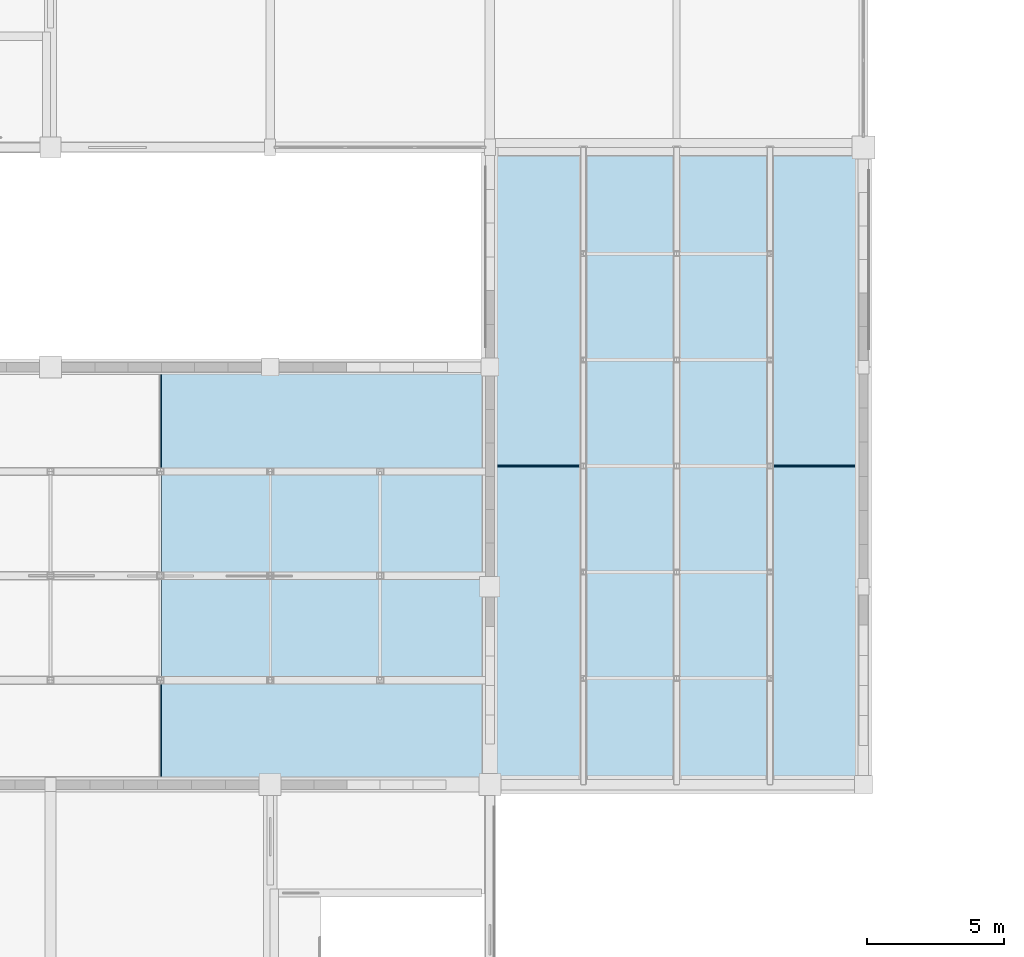
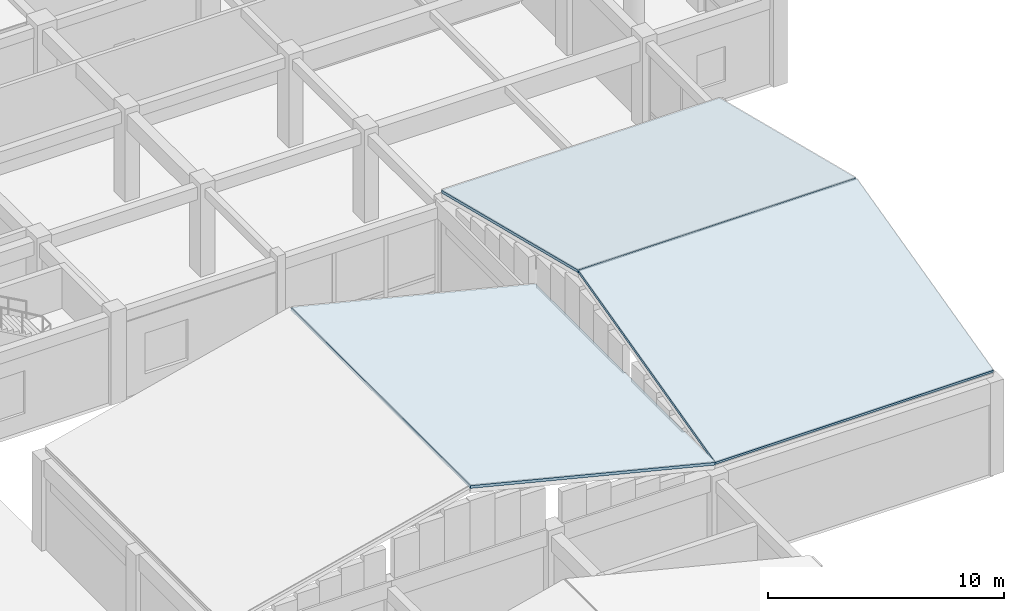
# One storey, part 57 of 61: 3 roofs.
"""IFC4 building model written with IfcOpenShell, lengths in metres."""

from ifc_helpers import new_model, si_unit, direction, frame, origin, place, context, subcontext, project, spatial, polyline, outline, extrude, material, layer, layer_set, type_object, element, save


model = new_model("IFC4")

# Units and contexts
model_context = context("Model", 3, precision=1e-05, world=origin(), true_north=direction((0.0, 1.0)))
body_context = subcontext(model_context, "Body", "Model", "MODEL_VIEW")
ifc_project = project(units=[si_unit("LENGTHUNIT", "METRE"), si_unit("AREAUNIT", "SQUARE_METRE"), si_unit("VOLUMEUNIT", "CUBIC_METRE"), si_unit("PLANEANGLEUNIT", "RADIAN"), si_unit("MASSUNIT", "GRAM", prefix="KILO")], contexts=[model_context])

# Site, building, storey
site_placement = place(None, origin())
site = spatial("IfcSite", under=ifc_project, at=site_placement, CompositionType="ELEMENT")
building_placement = place(site_placement, origin())
building = spatial("IfcBuilding", under=site, at=building_placement, Name="Vellmiral Cinema and Media Centre", CompositionType="ELEMENT")
storey_placement = place(building_placement, frame((0.0, 0.0, 10.800048828125)))
storey = spatial("IfcBuildingStorey", under=building, at=storey_placement, Name="L02", CompositionType="ELEMENT", Elevation=10.800048828125)

# Roofs
ifc_material = material(Name="Catalan Glazed Ceramic Vault Tile")
ifc_layer = layer(ifc_material, 0.139892578125, Name="Catalan Glazed Ceramic Vault Tile")
ifc_layer_set = layer_set([ifc_layer], Name="Catalan Glazed Ceramic Vault Tile")
roof_type = type_object("IfcRoofType", Name="ROOF-BARREL-VAULT", PredefinedType="BARREL_ROOF", material=ifc_layer_set)
roof_placement = place(storey_placement, frame((136.04150390625, 36.0, 8.152587890625), z_axis=(0.241929649535, 0.0, 0.97029379297), x_axis=(0.97029379297, 0.0, -0.241929649535)))
element("IfcRoof", 1, at=roof_placement, inside=storey, type_object=roof_type, Name="Cinema Screen 6 Catalan Ceramic Vault B", PredefinedType="BARREL_ROOF", context=body_context, shape_type="SweptSolid", body=[
    extrude(outline(polyline([(0.0, 0.0), (12.324613617436892, 0.0), (12.324613617436892, 15.199951171875), (0.0, 15.199951171875), (0.0, 0.0)])), origin(), (0.0, 0.0, -1.0), 0.139892578125),
])
for number, where, z_axis, x_axis, name in (
    (2, (148.0, 36.0, 5.1708984375), (0.0, -0.241923137486, 0.970295416638), (1.0, 0.0, 0.0), "Cinema Screen 7 Catalan Ceramic Vault A"),
    (3, (148.0, 47.6416015625, 8.052734375), (0.0, 0.241923137486, 0.970295416638), (1.0, 0.0, 0.0), "Cinema Screen 7 Catalan Ceramic Vault B"),
):
    element("IfcRoof", number, at=place(storey_placement, frame(where, z_axis=z_axis, x_axis=x_axis)), inside=storey, type_object=roof_type, Name=name, PredefinedType="BARREL_ROOF", context=body_context, shape_type="SweptSolid", body=[
        extrude(outline(polyline([(0.0, 0.0), (13.60009765625, 0.0), (13.60009765625, 11.912196441597398), (0.0, 11.912196441597398), (0.0, 0.0)])), origin(), (0.0, 0.0, -1.0), 0.139892578125),
    ])

save(model, "model.ifc")
